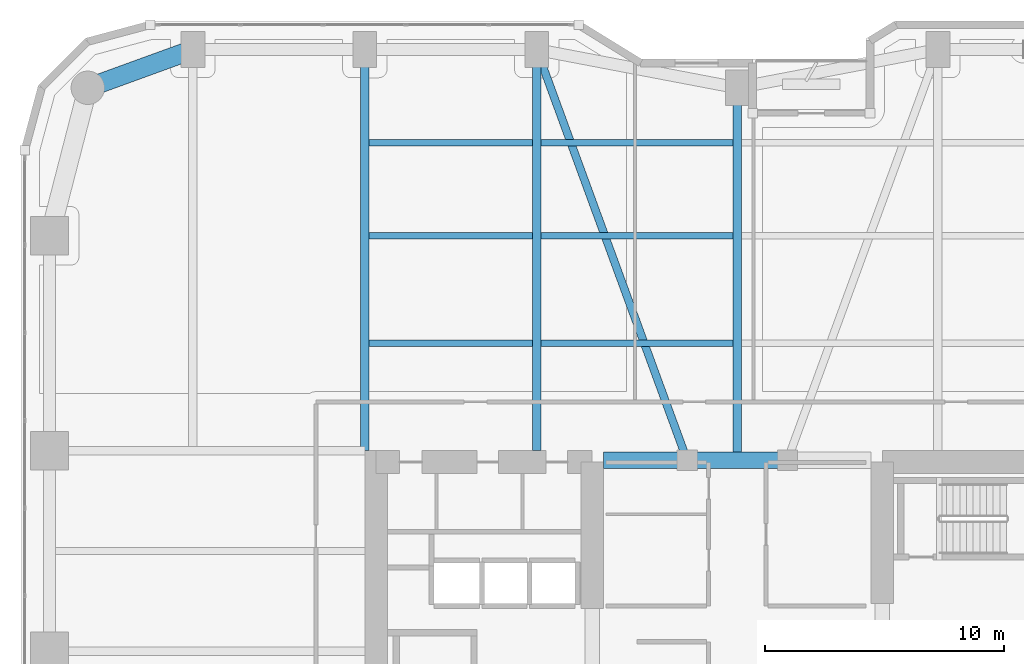
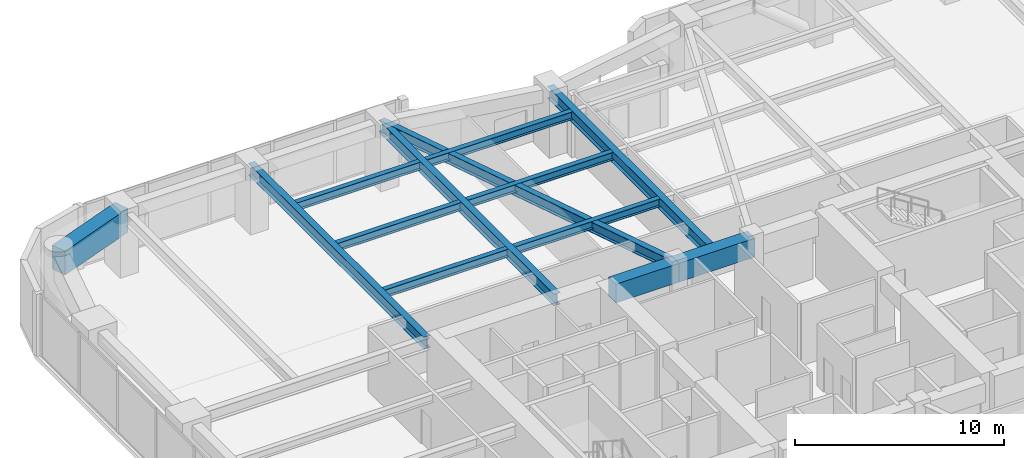
# One storey, part 15 of 29: 13 beams.
"""IFC4 building model written with IfcOpenShell, lengths in metres."""

from ifc_helpers import new_model, si_unit, direction, frame, origin, origin_2d, place, context, subcontext, project, spatial, rectangle, i_section, extrude, material, material_profile, profile_set, type_object, element, save


model = new_model("IFC4")

# Units and contexts
model_context = context("Model", 3, precision=1e-05, world=origin(), true_north=direction((0.0, 1.0)))
body_context = subcontext(model_context, "Body", "Model", "MODEL_VIEW")
ifc_project = project(units=[si_unit("LENGTHUNIT", "METRE"), si_unit("AREAUNIT", "SQUARE_METRE"), si_unit("VOLUMEUNIT", "CUBIC_METRE"), si_unit("PLANEANGLEUNIT", "RADIAN"), si_unit("MASSUNIT", "GRAM", prefix="KILO")], contexts=[model_context])

# Site, building, storey
site_placement = place(None, origin())
site = spatial("IfcSite", under=ifc_project, at=site_placement, CompositionType="ELEMENT")
building_placement = place(site_placement, origin())
building = spatial("IfcBuilding", under=site, at=building_placement, Name="Kiyonajd Concourse Tower", CompositionType="ELEMENT")
storey_placement = place(building_placement, frame((0.0, 0.0, 29.39990234375)))
storey = spatial("IfcBuildingStorey", under=building, at=storey_placement, Name="L08", CompositionType="ELEMENT", Elevation=29.39990234375)

# Beams
ifc_material_1 = material(Name="Concrete C70/85", Category="concrete")
ifc_material_profile_1 = material_profile(ifc_material_1, rectangle(XDim=0.699951171875, YDim=1.10009765625, at=origin_2d()), Name="RCBM-700x1100")
ifc_profile_set_1 = profile_set([ifc_material_profile_1], Name="Concrete C70/85")
beam_type_1 = type_object("IfcBeamType", Name="BM-COUP-1100", PredefinedType="LINTEL", material=ifc_profile_set_1)
beam_1_placement = place(storey_placement, frame((42.39990234375, 44.0, 3.090087890625), z_axis=(1.0, 0.0, 0.0), x_axis=(0.0, 1.0, 0.0)))
element("IfcBeam", 1, at=beam_1_placement, inside=storey, type_object=beam_type_1, Name="L08 Core Coupling Beam N1", PredefinedType="LINTEL", context=body_context, shape_type="SweptSolid", body=[
    extrude(rectangle(XDim=0.699951171875, YDim=1.10009765625, at=origin_2d()), origin(), (0.0, 0.0, 1.0), 3.5),
])
beam_2_placement = place(storey_placement, frame((45.89990234375, 44.0, 3.090087890625), z_axis=(1.0, 0.0, 0.0), x_axis=(0.0, 1.0, 0.0)))
element("IfcBeam", 2, at=beam_2_placement, inside=storey, type_object=beam_type_1, Name="L08 Core Coupling Beam N2", PredefinedType="LINTEL", context=body_context, shape_type="SweptSolid", body=[
    extrude(rectangle(XDim=0.699951171875, YDim=1.10009765625, at=origin_2d()), origin(), (0.0, 0.0, 1.0), 4.2001953125),
])
ifc_material_2 = material(Name="Steel ASTM A992 Grade 50", Category="steel")
ifc_material_profile_2 = material_profile(ifc_material_2, i_section(OverallWidth=0.280029296875, OverallDepth=0.462890625, WebThickness=0.0107421875, FlangeThickness=0.017333984375, at=origin_2d()), Name="W460X113")
ifc_profile_set_2 = profile_set([ifc_material_profile_2], Name="Steel ASTM A992 Grade 50")
beam_type_2 = type_object("IfcBeamType", Name="BM-JST-460A", PredefinedType="JOIST", material=ifc_profile_set_2)
beam_3_placement = place(storey_placement, frame((32.577392578125, 48.89990234375, 3.40869140625), z_axis=(1.0, 0.0, 0.0), x_axis=(0.0, 1.0, 0.0)))
element("IfcBeam", 3, at=beam_3_placement, inside=storey, type_object=beam_type_2, Name="L08 Secondary Floor Joist", PredefinedType="JOIST", context=body_context, shape_type="SweptSolid", body=[
    extrude(i_section(OverallWidth=0.280029296875, OverallDepth=0.462890625, WebThickness=0.0107421875, FlangeThickness=0.017333984375, at=origin_2d()), origin(), (0.0, 0.0, 1.0), 6.84521484375),
])
beam_4_placement = place(storey_placement, frame((39.777587890625, 48.89990234375, 3.40869140625), z_axis=(1.0, 0.0, 0.0), x_axis=(0.0, 1.0, 0.0)))
element("IfcBeam", 4, at=beam_4_placement, inside=storey, type_object=beam_type_2, Name="L08 Secondary Floor Joist", PredefinedType="JOIST", context=body_context, shape_type="SweptSolid", body=[
    extrude(i_section(OverallWidth=0.280029296875, OverallDepth=0.462890625, WebThickness=0.0107421875, FlangeThickness=0.017333984375, at=origin_2d()), origin(), (0.0, 0.0, 1.0), 8.044921875),
])
beam_5_placement = place(storey_placement, frame((32.577392578125, 53.39990234375, 3.40869140625), z_axis=(1.0, 0.0, 0.0), x_axis=(0.0, 1.0, 0.0)))
element("IfcBeam", 5, at=beam_5_placement, inside=storey, type_object=beam_type_2, Name="L08 Secondary Floor Joist", PredefinedType="JOIST", context=body_context, shape_type="SweptSolid", body=[
    extrude(i_section(OverallWidth=0.280029296875, OverallDepth=0.462890625, WebThickness=0.0107421875, FlangeThickness=0.017333984375, at=origin_2d()), origin(), (0.0, 0.0, 1.0), 6.84521484375),
])
beam_6_placement = place(storey_placement, frame((39.777587890625, 53.39990234375, 3.40869140625), z_axis=(1.0, 0.0, 0.0), x_axis=(0.0, 1.0, 0.0)))
element("IfcBeam", 6, at=beam_6_placement, inside=storey, type_object=beam_type_2, Name="L08 Secondary Floor Joist", PredefinedType="JOIST", context=body_context, shape_type="SweptSolid", body=[
    extrude(i_section(OverallWidth=0.280029296875, OverallDepth=0.462890625, WebThickness=0.0107421875, FlangeThickness=0.017333984375, at=origin_2d()), origin(), (0.0, 0.0, 1.0), 8.044921875),
])
beam_7_placement = place(storey_placement, frame((32.577392578125, 57.300048828125, 3.40869140625), z_axis=(1.0, 0.0, 0.0), x_axis=(0.0, 1.0, 0.0)))
element("IfcBeam", 7, at=beam_7_placement, inside=storey, type_object=beam_type_2, Name="L08 Secondary Floor Joist", PredefinedType="JOIST", context=body_context, shape_type="SweptSolid", body=[
    extrude(i_section(OverallWidth=0.280029296875, OverallDepth=0.462890625, WebThickness=0.0107421875, FlangeThickness=0.017333984375, at=origin_2d()), origin(), (0.0, 0.0, 1.0), 6.84521484375),
])
beam_8_placement = place(storey_placement, frame((39.777587890625, 57.300048828125, 3.40869140625), z_axis=(1.0, 0.0, 0.0), x_axis=(0.0, 1.0, 0.0)))
element("IfcBeam", 8, at=beam_8_placement, inside=storey, type_object=beam_type_2, Name="L08 Secondary Floor Joist", PredefinedType="JOIST", context=body_context, shape_type="SweptSolid", body=[
    extrude(i_section(OverallWidth=0.280029296875, OverallDepth=0.462890625, WebThickness=0.0107421875, FlangeThickness=0.017333984375, at=origin_2d()), origin(), (0.0, 0.0, 1.0), 8.044921875),
])
ifc_material_profile_3 = material_profile(ifc_material_2, i_section(OverallWidth=0.326904296875, OverallDepth=0.6220703125, WebThickness=0.015380859375, FlangeThickness=0.0244140625, at=origin_2d()), Name="W610X195")
ifc_profile_set_3 = profile_set([ifc_material_profile_3], Name="Steel ASTM A992 Grade 50")
beam_type_3 = type_object("IfcBeamType", Name="BM-TWR-610A", PredefinedType="BEAM", material=ifc_profile_set_3)
beam_9_placement = place(storey_placement, frame((39.60009765625, 61.199951171875, 3.3291015625), z_axis=(0.343925269715, -0.938997022813, 0.0), x_axis=(0.938997022813, 0.343925269715, 0.0)))
element("IfcBeam", 9, at=beam_9_placement, inside=storey, type_object=beam_type_3, Name="L08 Core Tie Girder", PredefinedType="BEAM", context=body_context, shape_type="SweptSolid", body=[
    extrude(i_section(OverallWidth=0.326904296875, OverallDepth=0.6220703125, WebThickness=0.015380859375, FlangeThickness=0.0244140625, at=origin_2d()), origin(), (0.0, 0.0, 1.0), 18.3173828125),
])
ifc_material_profile_4 = material_profile(ifc_material_2, i_section(OverallWidth=0.35498046875, OverallDepth=0.695068359375, WebThickness=0.015380859375, FlangeThickness=0.02490234375, at=origin_2d()), Name="W690X217")
ifc_profile_set_4 = profile_set([ifc_material_profile_4], Name="Steel ASTM A992 Grade 50")
beam_type_4 = type_object("IfcBeamType", Name="BM-TWR-690", PredefinedType="BEAM", material=ifc_profile_set_4)
for number, where, z_axis, x_axis, name in (
    (10, (32.39990234375, 44.39990234375, 3.29248046875), (0.0, 1.0, 0.0), (-1.0, 0.0, 0.0), "L08 North Lease Girder"),
    (11, (39.60009765625, 44.39990234375, 3.29248046875), (0.0, 1.0, 0.0), (-1.0, 0.0, 0.0), "L08 North Lease Girder"),
):
    element("IfcBeam", number, at=place(storey_placement, frame(where, z_axis=z_axis, x_axis=x_axis)), inside=storey, type_object=beam_type_4, Name=name, PredefinedType="BEAM", context=body_context, shape_type="SweptSolid", body=[
        extrude(i_section(OverallWidth=0.35498046875, OverallDepth=0.695068359375, WebThickness=0.015380859375, FlangeThickness=0.02490234375, at=origin_2d()), origin(), (0.0, 0.0, 1.0), 16.800048828125),
    ])
beam_10_placement = place(storey_placement, frame((48.0, 44.0, 3.29248046875), z_axis=(0.0, 1.0, 0.0), x_axis=(-1.0, 0.0, 0.0)))
element("IfcBeam", 12, at=beam_10_placement, inside=storey, type_object=beam_type_4, Name="L08 North Ribbon Girder", PredefinedType="BEAM", context=body_context, shape_type="SweptSolid", body=[
    extrude(i_section(OverallWidth=0.35498046875, OverallDepth=0.695068359375, WebThickness=0.015380859375, FlangeThickness=0.02490234375, at=origin_2d()), origin(), (0.0, 0.0, 1.0), 15.60009765625),
])
ifc_material_3 = material(Name="Concrete C60/75", Category="concrete")
ifc_material_profile_5 = material_profile(ifc_material_3, rectangle(XDim=0.800048828125, YDim=1.39990234375, at=origin_2d()), Name="RCBM-800x1400")
ifc_profile_set_5 = profile_set([ifc_material_profile_5], Name="Concrete C60/75")
beam_type_5 = type_object("IfcBeamType", Name="BM-XFER-RC", PredefinedType="BEAM", material=ifc_profile_set_5)
beam_11_placement = place(storey_placement, frame((25.199951171875, 61.199951171875, 2.940185546875), z_axis=(-0.939801036019, -0.341722127901, 0.0), x_axis=(0.341722127901, -0.939801036019, 0.0)))
element("IfcBeam", 13, at=beam_11_placement, inside=storey, type_object=beam_type_5, Name="L08 Perimeter Bundled Tube Spandrel", PredefinedType="BEAM", context=body_context, shape_type="SweptSolid", body=[
    extrude(rectangle(XDim=0.800048828125, YDim=1.39990234375, at=origin_2d()), origin(), (0.0, 0.0, 1.0), 4.681640625),
])

save(model, "model.ifc")
